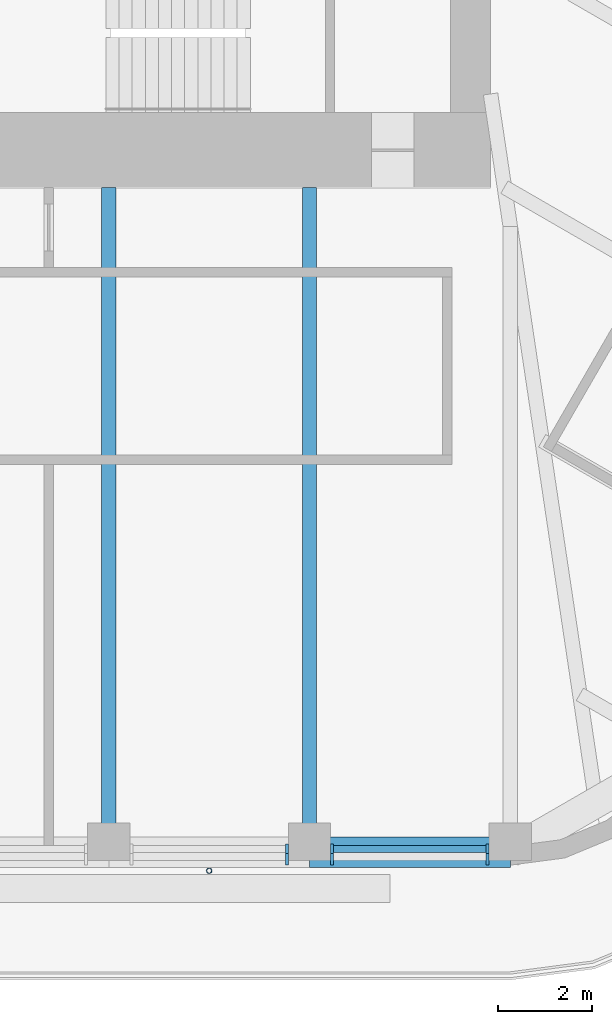
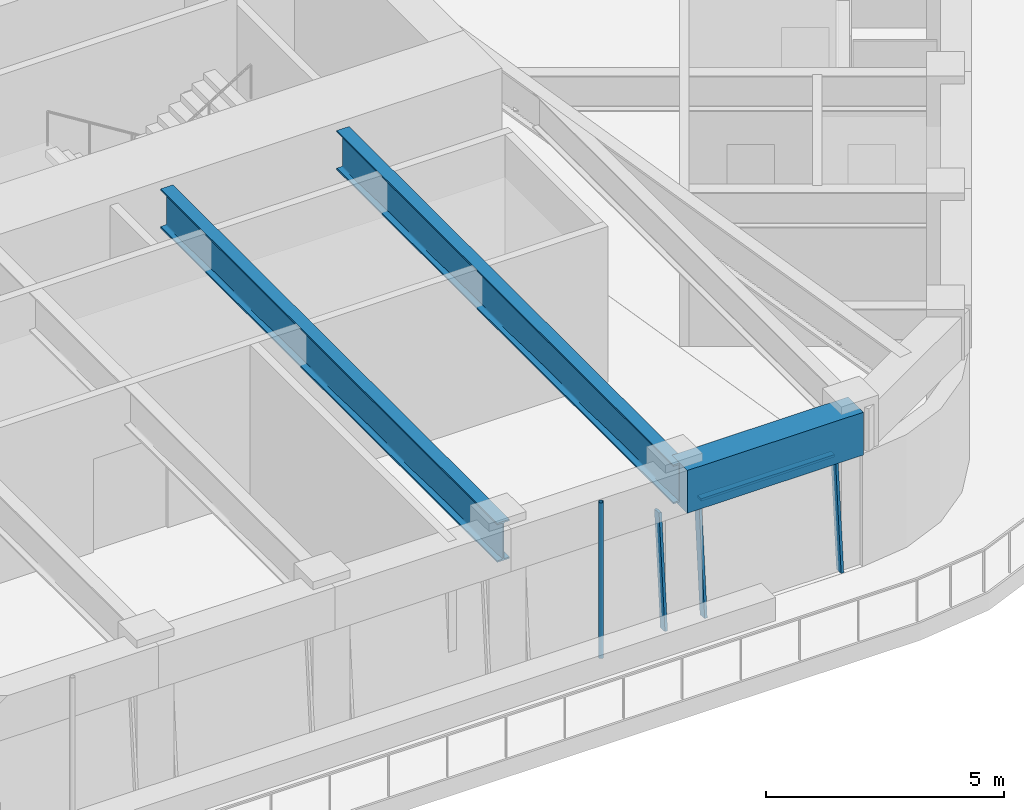
# One storey, part 4 of 19: 5 members, 3 beams, 2 elements without a shape of their own.
"""IFC4 building model written with IfcOpenShell, lengths in metres."""

from ifc_helpers import new_model, si_unit, direction, frame, origin, origin_2d, place, context, subcontext, project, spatial, rectangle, hollow_circle, i_section, extrude, material, material_profile, profile_set, type_object, element, aggregate, save


model = new_model("IFC4")

# Units and contexts
model_context = context("Model", 3, precision=1e-05, world=origin(), true_north=direction((0.0, 1.0)))
body_context = subcontext(model_context, "Body", "Model", "MODEL_VIEW")
ifc_project = project(units=[si_unit("LENGTHUNIT", "METRE"), si_unit("AREAUNIT", "SQUARE_METRE"), si_unit("VOLUMEUNIT", "CUBIC_METRE"), si_unit("PLANEANGLEUNIT", "RADIAN"), si_unit("MASSUNIT", "GRAM", prefix="KILO")], contexts=[model_context])

# Site, building, storey
site_placement = place(None, origin())
site = spatial("IfcSite", under=ifc_project, at=site_placement, CompositionType="ELEMENT")
building_placement = place(site_placement, origin())
building = spatial("IfcBuilding", under=site, at=building_placement, Name="Tarfa Lantern Tower", CompositionType="ELEMENT")
storey_placement = place(building_placement, frame((0.0, 0.0, 353.5)))
storey = spatial("IfcBuildingStorey", under=building, at=storey_placement, Name="L80", CompositionType="ELEMENT", Elevation=353.5)

# Curtain wall, member
ifc_material_1 = material(Name="Aluminium framed curtain wall", Category="aluminium")
curtain_wall_type = type_object("IfcCurtainWallType", Name="CW4 CANTED GLAZING EXECUTIVE ZONE 2900", PredefinedType="USERDEFINED", material=ifc_material_1)
curtain_wall_1_placement = place(storey_placement, origin())
curtain_wall_1 = element("IfcCurtainWall", 1, at=curtain_wall_1_placement, inside=storey, type_object=curtain_wall_type, Name="CW4 S L80", ObjectType="CURTAIN WALL", PredefinedType="USERDEFINED")
ifc_material_2 = material(Name="Aluminium mullion", Category="aluminium")
ifc_material_profile_1 = material_profile(ifc_material_2, rectangle(XDim=0.06494140625, YDim=0.199951171875, at=origin_2d()), Name="AL MULLION 65x200")
ifc_profile_set_1 = profile_set([ifc_material_profile_1], Name="Aluminium mullion")
member_type_1 = type_object("IfcMemberType", Name="CWM1 MULLION 65x200", PredefinedType="MULLION", material=ifc_profile_set_1)
member_1_placement = place(storey_placement, frame((8.08154296875, -26.64990234375, 0.0), z_axis=(0.0, 0.085891213166, 0.99630452147), x_axis=(-1.0, 0.0, 0.0)))
member_1 = element("IfcMember", 2, at=member_1_placement, type_object=member_type_1, Name="CW4 mullion 2", PredefinedType="MULLION", context=body_context, shape_type="SweptSolid", body=[
    extrude(rectangle(XDim=0.06494140625, YDim=0.199951171875, at=origin_2d()), origin(), (0.0, 0.0, 1.0), 2.91064453125),
])
aggregate(curtain_wall_1, [member_1])

# Curtain wall, members
curtain_wall_2_placement = place(storey_placement, origin())
curtain_wall_2 = element("IfcCurtainWall", 3, at=curtain_wall_2_placement, inside=storey, type_object=curtain_wall_type, Name="CW4 S L80", ObjectType="CURTAIN WALL", PredefinedType="USERDEFINED")
member_2_placement = place(storey_placement, frame((9.046630859375, -26.64990234375, 0.0), z_axis=(0.0, 0.085891213166, 0.99630452147), x_axis=(-1.0, 0.0, 0.0)))
member_2 = element("IfcMember", 4, at=member_2_placement, type_object=member_type_1, Name="CW4 mullion 1", PredefinedType="MULLION", context=body_context, shape_type="SweptSolid", body=[
    extrude(rectangle(XDim=0.06494140625, YDim=0.199951171875, at=origin_2d()), origin(), (0.0, 0.0, 1.0), 2.91064453125),
])
member_3_placement = place(storey_placement, frame((12.363525390625, -26.64990234375, 0.0), z_axis=(0.0, 0.085891213166, 0.99630452147), x_axis=(-1.0, 0.0, 0.0)))
member_3 = element("IfcMember", 5, at=member_3_placement, type_object=member_type_1, Name="CW4 mullion 2", PredefinedType="MULLION", context=body_context, shape_type="SweptSolid", body=[
    extrude(rectangle(XDim=0.06494140625, YDim=0.199951171875, at=origin_2d()), origin(), (0.0, 0.0, 1.0), 2.91064453125),
])
ifc_material_3 = material(Name="Aluminium transom", Category="aluminium")
ifc_material_profile_2 = material_profile(ifc_material_3, rectangle(XDim=0.14990234375, YDim=0.06494140625, at=origin_2d()), Name="AL TRANSOM 150x65")
ifc_profile_set_2 = profile_set([ifc_material_profile_2], Name="Aluminium transom")
member_type_2 = type_object("IfcMemberType", Name="CWT1 TRANSOM 150x65", PredefinedType="USERDEFINED", material=ifc_profile_set_2)
member_4_placement = place(storey_placement, frame((9.0791015625, -26.40283203125, 2.867431640625), z_axis=(1.0, 0.0, 0.0), x_axis=(0.0, 1.0, 0.0)))
member_4 = element("IfcMember", 6, at=member_4_placement, type_object=member_type_2, Name="CW4 transom 1.2", ObjectType="TRANSOM", PredefinedType="USERDEFINED", context=body_context, shape_type="SweptSolid", body=[
    extrude(rectangle(XDim=0.14990234375, YDim=0.06494140625, at=origin_2d()), origin(), (0.0, 0.0, 1.0), 3.251953125),
])
aggregate(curtain_wall_2, [member_2, member_3, member_4])

# Beam
ifc_material_4 = material(Name="Concrete C80/95", Category="concrete")
ifc_material_profile_3 = material_profile(ifc_material_4, rectangle(XDim=0.64990234375, YDim=1.10009765625, at=origin_2d()), Name="RC 650x1100")
ifc_profile_set_3 = profile_set([ifc_material_profile_3], Name="Concrete C80/95")
beam_type_1 = type_object("IfcBeamType", Name="EB4 RC 650x1100", PredefinedType="SPANDREL", material=ifc_profile_set_3)
beam_placement = place(storey_placement, frame((8.56396484375, -26.469970703125, 3.449951171875), z_axis=(1.0, 0.0, 0.0), x_axis=(0.0, 1.0, 0.0)))
element("IfcBeam", 7, at=beam_placement, inside=storey, type_object=beam_type_1, Name="Edge beam S5", PredefinedType="SPANDREL", context=body_context, shape_type="SweptSolid", body=[
    extrude(rectangle(XDim=0.64990234375, YDim=1.10009765625, at=origin_2d()), origin(), (0.0, 0.0, 1.0), 4.281982421875),
])

# Member
ifc_material_5 = material(Name="Steel S355", Category="steel")
ifc_material_profile_4 = material_profile(ifc_material_5, hollow_circle(Radius=0.05712890625, WallThickness=0.00634765625, at=origin_2d()), Name="CHS114.3x6.3")
ifc_profile_set_4 = profile_set([ifc_material_profile_4], Name="Steel S355")
member_type_3 = type_object("IfcMemberType", Name="TR1 GREEN WALL TRELLIS CHS114.3x6.3", PredefinedType="USERDEFINED", material=ifc_profile_set_4)
member_5_placement = place(storey_placement, frame((6.423095703125, -26.8701171875, 0.0), z_axis=(0.0, 0.0, 1.0), x_axis=(1.0, 0.0, 0.0)))
element("IfcMember", 8, at=member_5_placement, inside=storey, type_object=member_type_3, Name="Trellis post S 2", ObjectType="TRELLIS", PredefinedType="USERDEFINED", context=body_context, shape_type="SweptSolid", body=[
    extrude(hollow_circle(Radius=0.05712890625, WallThickness=0.00634765625, at=origin_2d()), origin(), (0.0, 0.0, 1.0), 4.0),
])

# Beams
ifc_material_6 = material(Name="Steel S460M", Category="steel")
ifc_material_profile_5 = material_profile(ifc_material_6, i_section(OverallWidth=0.302001953125, OverallDepth=1.008056640625, WebThickness=0.02099609375, FlangeThickness=0.0400390625, FilletRadius=0.030029296875, at=origin_2d()), Name="UB1016x305x349")
ifc_profile_set_5 = profile_set([ifc_material_profile_5], Name="Steel S460M")
beam_type_2 = type_object("IfcBeamType", Name="UB1016x305x349", PredefinedType="BEAM", material=ifc_profile_set_5)
for number, where, z_axis, x_axis, name in (
    (9, (4.281982421875, -26.469970703125, 3.495849609375), (0.0, 1.0, 0.0), (-1.0, 0.0, 0.0), "Floor beam S4"),
    (10, (8.56396484375, -26.469970703125, 3.495849609375), (0.0, 1.0, 0.0), (-1.0, 0.0, 0.0), "Floor beam S5"),
):
    element("IfcBeam", number, at=place(storey_placement, frame(where, z_axis=z_axis, x_axis=x_axis)), inside=storey, type_object=beam_type_2, Name=name, PredefinedType="BEAM", context=body_context, shape_type="SweptSolid", body=[
        extrude(i_section(OverallWidth=0.302001953125, OverallDepth=1.008056640625, WebThickness=0.02099609375, FlangeThickness=0.0400390625, FilletRadius=0.030029296875, at=origin_2d()), origin(), (0.0, 0.0, 1.0), 14.169921875),
    ])

save(model, "model.ifc")
